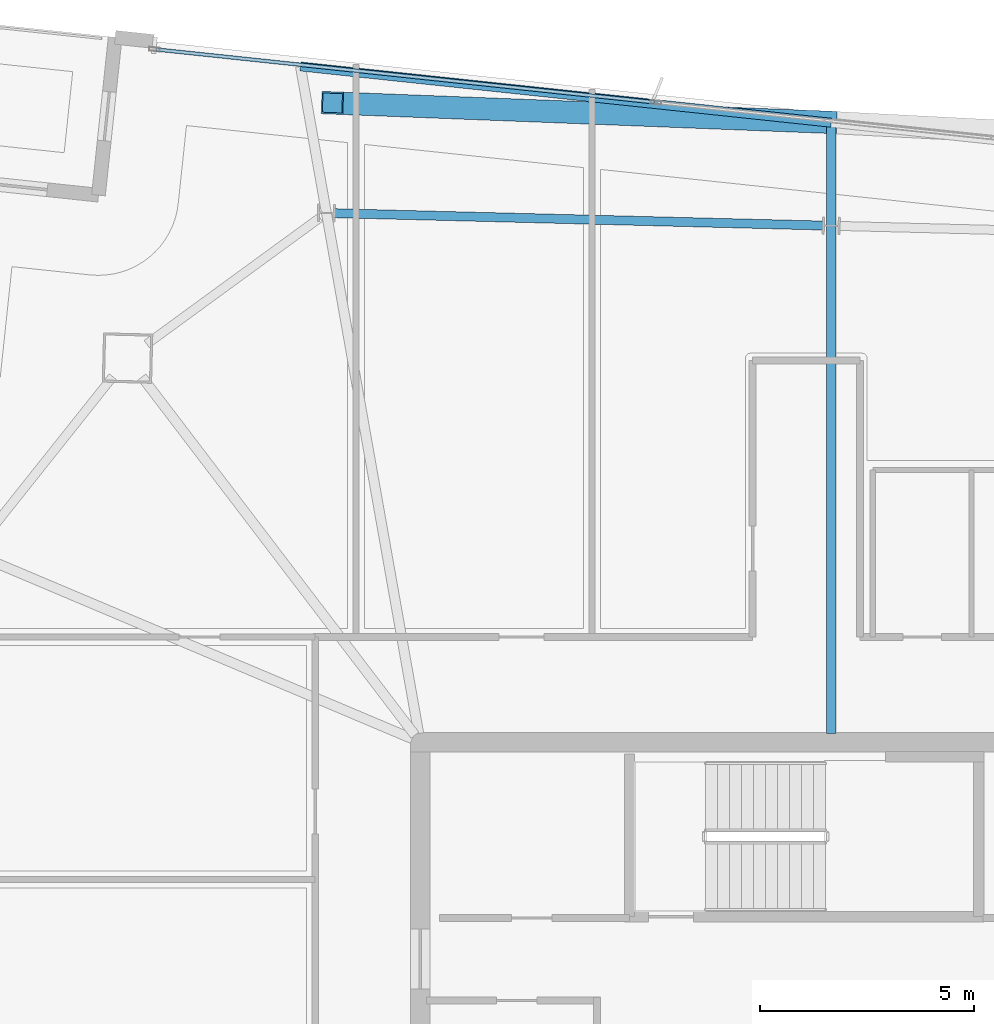
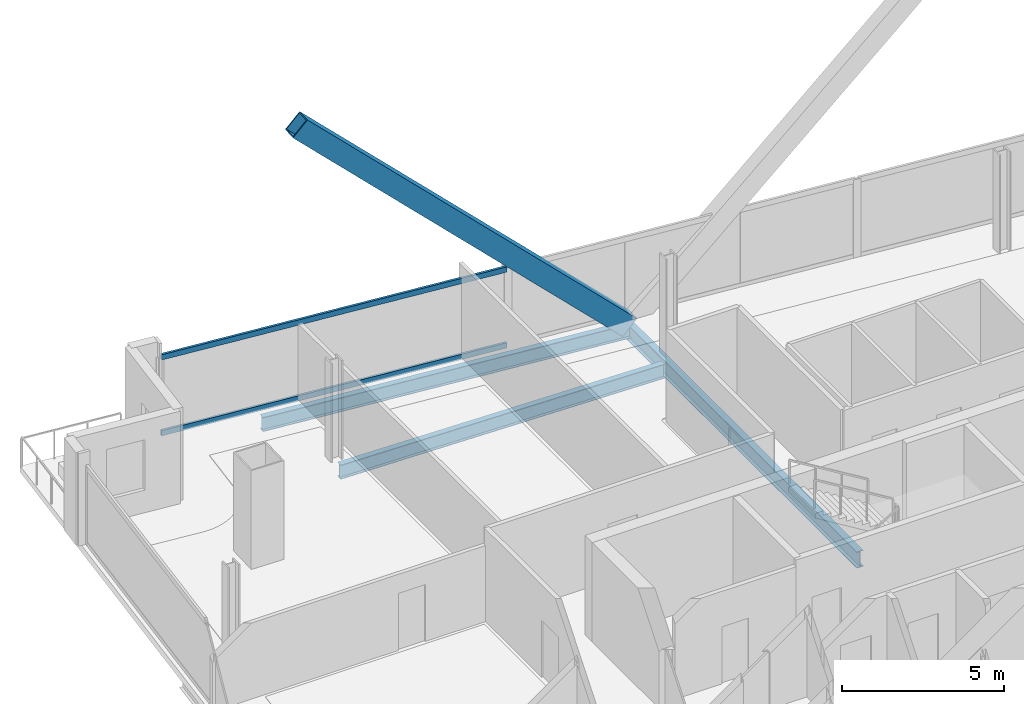
# One storey, part 13 of 24: 3 beams, 3 members, 1 element without a shape of its own.
"""IFC4 building model written with IfcOpenShell, lengths in metres."""

from ifc_helpers import new_model, si_unit, direction, frame, origin, origin_2d, place, context, subcontext, project, spatial, hollow_rectangle, i_section, extrude, material, material_profile, profile_set, type_object, element, aggregate, save


model = new_model("IFC4")

# Units and contexts
model_context = context("Model", 3, precision=1e-05, world=origin(), true_north=direction((0.0, 1.0)))
body_context = subcontext(model_context, "Body", "Model", "MODEL_VIEW")
ifc_project = project(units=[si_unit("LENGTHUNIT", "METRE"), si_unit("AREAUNIT", "SQUARE_METRE"), si_unit("VOLUMEUNIT", "CUBIC_METRE"), si_unit("PLANEANGLEUNIT", "RADIAN"), si_unit("MASSUNIT", "GRAM", prefix="KILO")], contexts=[model_context])

# Site, building, storey
site_placement = place(None, origin())
site = spatial("IfcSite", under=ifc_project, at=site_placement, CompositionType="ELEMENT")
building_placement = place(site_placement, origin())
building = spatial("IfcBuilding", under=site, at=building_placement, Name="Haldenkirk Collegiate Tower", CompositionType="ELEMENT")
storey_placement = place(building_placement, frame((0.0, 0.0, 310.199951171875)))
storey = spatial("IfcBuildingStorey", under=building, at=storey_placement, Name="L78", CompositionType="ELEMENT", Elevation=310.199951171875)

# Beams
ifc_material_1 = material(Name="Steel ASTM A992 Grade 50", Category="steel")
ifc_material_profile_1 = material_profile(ifc_material_1, i_section(OverallWidth=0.22998046875, OverallDepth=0.616943359375, WebThickness=0.01318359375, FlangeThickness=0.022216796875, at=origin_2d()), Name="W24X94")
ifc_profile_set_1 = profile_set([ifc_material_profile_1], Name="Steel ASTM A992 Grade 50")
beam_type_1 = type_object("IfcBeamType", Name="BM-GIRDER-W24X94", PredefinedType="BEAM", material=ifc_profile_set_1)
beam_1_placement = place(storey_placement, frame((36.582275390625, 48.443603515625, -0.568359375), z_axis=(0.0, -1.0, 0.0), x_axis=(1.0, 0.0, 0.0)))
element("IfcBeam", 1, at=beam_1_placement, inside=storey, type_object=beam_type_1, Name="L78 primary floor girder 09", PredefinedType="BEAM", context=body_context, shape_type="SweptSolid", body=[
    extrude(i_section(OverallWidth=0.22998046875, OverallDepth=0.616943359375, WebThickness=0.01318359375, FlangeThickness=0.022216796875, at=origin_2d()), origin(), (0.0, 0.0, 1.0), 14.238525390625),
])
ifc_material_profile_2 = material_profile(ifc_material_1, i_section(OverallWidth=0.2099609375, OverallDepth=0.537109375, WebThickness=0.010986328125, FlangeThickness=0.017333984375, at=origin_2d()), Name="W21X68")
ifc_profile_set_2 = profile_set([ifc_material_profile_2], Name="Steel ASTM A992 Grade 50")
beam_type_2 = type_object("IfcBeamType", Name="BM-SPANDREL-W21X68", PredefinedType="SPANDREL", material=ifc_profile_set_2)
beam_2_placement = place(storey_placement, frame((36.394287109375, 46.04638671875, -0.528564453125), z_axis=(-0.999680042221, 0.02529452876, 0.0), x_axis=(-0.02529452876, -0.999680042221, 0.0)))
element("IfcBeam", 2, at=beam_2_placement, inside=storey, type_object=beam_type_2, Name="L78 perimeter spandrel beam 07", PredefinedType="SPANDREL", context=body_context, shape_type="SweptSolid", body=[
    extrude(i_section(OverallWidth=0.2099609375, OverallDepth=0.537109375, WebThickness=0.010986328125, FlangeThickness=0.017333984375, at=origin_2d()), origin(), (0.0, 0.0, 1.0), 11.39892578125),
])
beam_3_placement = place(storey_placement, frame((36.582275390625, 48.443603515625, -0.528564453125), z_axis=(-0.994428661291, 0.105411752683, 0.0), x_axis=(-0.105411752683, -0.994428661291, 0.0)))
element("IfcBeam", 3, at=beam_3_placement, inside=storey, type_object=beam_type_2, Name="L78 outer facade edge beam 2B", PredefinedType="SPANDREL", context=body_context, shape_type="SweptSolid", body=[
    extrude(i_section(OverallWidth=0.2099609375, OverallDepth=0.537109375, WebThickness=0.010986328125, FlangeThickness=0.017333984375, at=origin_2d()), origin(), (0.0, 0.0, 1.0), 12.446533203125),
])

# Curtain wall, members
ifc_material_2 = material(Name="Anodised architectural bronze aluminium", Category="aluminium")
curtain_wall_type = type_object("IfcCurtainWallType", Name="CW-SYS1B-CONVEX-HI", PredefinedType="USERDEFINED", material=ifc_material_2)
curtain_wall_placement = place(storey_placement, origin())
curtain_wall = element("IfcCurtainWall", 4, at=curtain_wall_placement, inside=storey, type_object=curtain_wall_type, Name="L78 Upper tower high-wind convex bronze unitised curtain wall", ObjectType="UNITISED CURTAIN WALL", PredefinedType="USERDEFINED")
ifc_material_profile_3 = material_profile(ifc_material_2, hollow_rectangle(XDim=0.0849609375, YDim=0.199951171875, WallThickness=0.0048828125, at=origin_2d()), Name="CW-TRN-1B")
ifc_profile_set_3 = profile_set([ifc_material_profile_3], Name="Anodised architectural bronze aluminium")
member_type_1 = type_object("IfcMemberType", Name="CW-TRN-1B", PredefinedType="USERDEFINED", material=ifc_profile_set_3)
member_1_placement = place(storey_placement, frame((20.84619140625, 50.151611328125, 0.04248046875), z_axis=(0.994430359613, -0.105395729894, 0.0), x_axis=(0.105395729894, 0.994430359613, 0.0)))
member_1 = element("IfcMember", 5, at=member_1_placement, type_object=member_type_1, Name="CW-1B transom 1.1", ObjectType="TRANSOM", PredefinedType="USERDEFINED", context=body_context, shape_type="SweptSolid", body=[
    extrude(hollow_rectangle(XDim=0.0849609375, YDim=0.199951171875, WallThickness=0.0048828125, at=origin_2d()), origin(), (0.0, 0.0, 1.0), 11.67236328125),
])
member_2_placement = place(storey_placement, frame((20.84619140625, 50.151611328125, 2.905517578125), z_axis=(0.994430359613, -0.105395729894, 0.0), x_axis=(0.105395729894, 0.994430359613, 0.0)))
member_2 = element("IfcMember", 6, at=member_2_placement, type_object=member_type_1, Name="CW-1B transom 1.2", ObjectType="TRANSOM", PredefinedType="USERDEFINED", context=body_context, shape_type="SweptSolid", body=[
    extrude(hollow_rectangle(XDim=0.0849609375, YDim=0.199951171875, WallThickness=0.0048828125, at=origin_2d()), origin(), (0.0, 0.0, 1.0), 11.67236328125),
])
aggregate(curtain_wall, [member_1, member_2])

# Member
ifc_material_3 = material(Name="Steel ASTM A572 Grade 50", Category="steel")
ifc_material_profile_4 = material_profile(ifc_material_3, hollow_rectangle(XDim=0.52001953125, YDim=0.719970703125, WallThickness=0.035888671875, at=origin_2d()), Name="BOX720X520X36")
ifc_profile_set_4 = profile_set([ifc_material_profile_4], Name="Steel ASTM A572 Grade 50")
member_type_2 = type_object("IfcMemberType", Name="MBR-MEGABRACE-BOX720X520X36", PredefinedType="BRACE", material=ifc_profile_set_4)
member_3_placement = place(storey_placement, frame((36.457763671875, 48.456787109375, -0.27001953125), z_axis=(-0.714772219919, 0.027827785703, 0.698803468777), x_axis=(-0.038902910832, -0.999242995236, 0.0)))
element("IfcMember", 7, at=member_3_placement, inside=storey, type_object=member_type_2, Name="Perimeter Mega Brace Z6 L78-L80 ER", PredefinedType="BRACE", context=body_context, shape_type="SweptSolid", body=[
    extrude(hollow_rectangle(XDim=0.52001953125, YDim=0.719970703125, WallThickness=0.035888671875, at=origin_2d()), origin(), (0.0, 0.0, 1.0), 16.098876953125),
])

save(model, "model.ifc")
